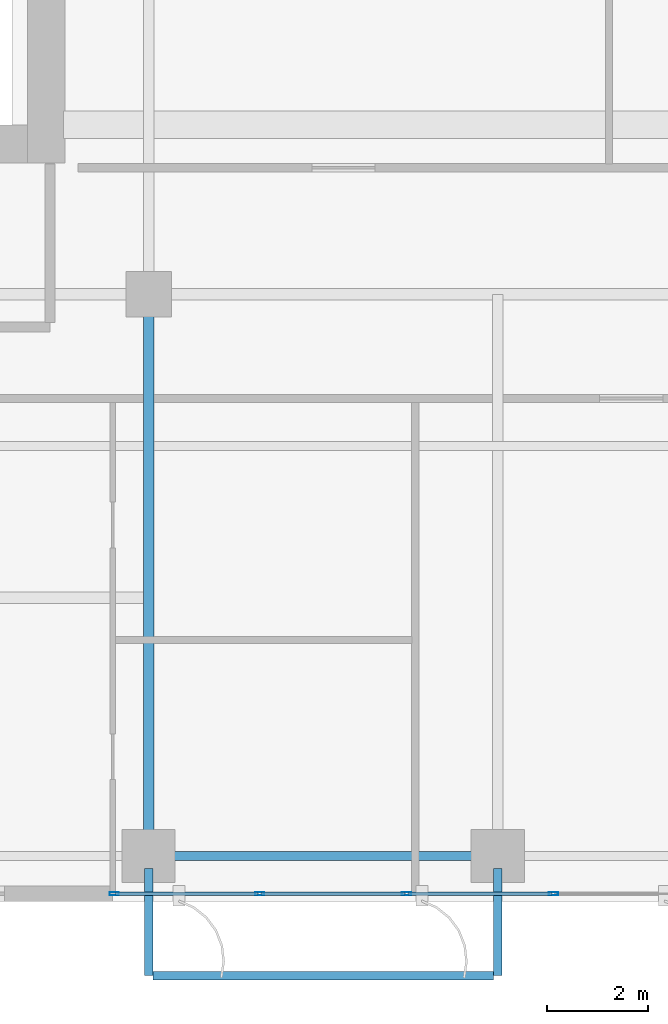
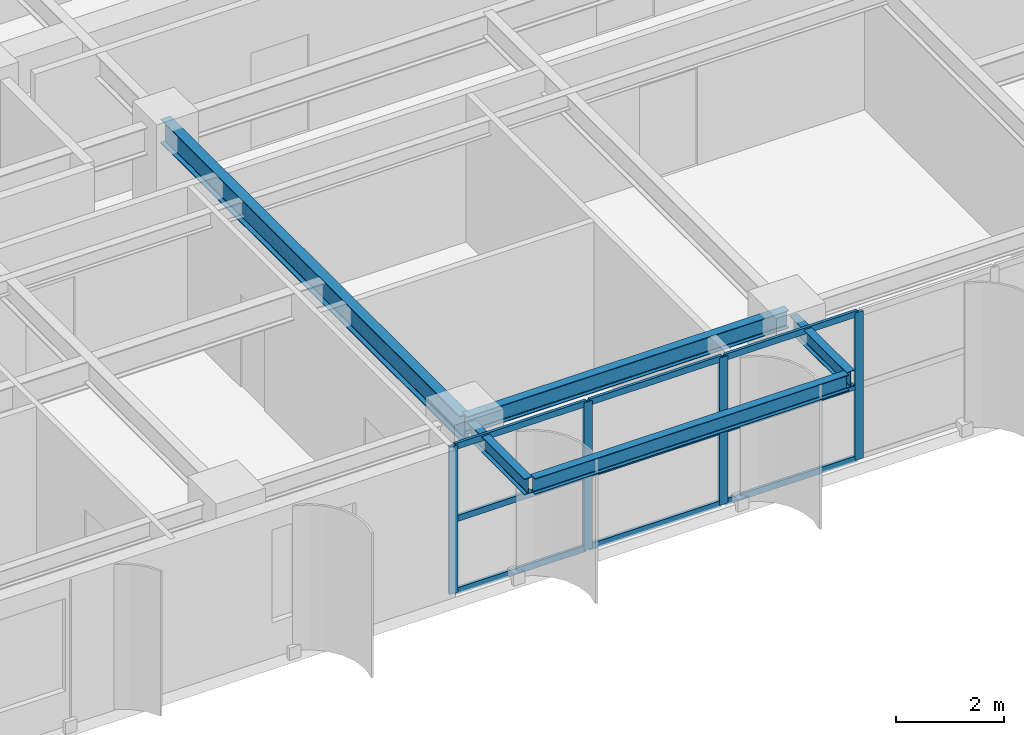
# One storey, part 2 of 23: 13 members, 5 beams, 1 element without a shape of its own.
"""IFC4 building model written with IfcOpenShell, lengths in metres."""

from ifc_helpers import new_model, si_unit, direction, frame, origin, origin_2d, place, context, subcontext, project, spatial, hollow_rectangle, i_section, extrude, source, transform, mapped, material, layer, layer_set, material_profile, profile_set, type_object, element, aggregate, save


model = new_model("IFC4")

# Units and contexts
model_context = context("Model", 3, precision=1e-05, world=origin(), true_north=direction((0.0, 1.0)))
body_context = subcontext(model_context, "Body", "Model", "MODEL_VIEW")
ifc_project = project(units=[si_unit("LENGTHUNIT", "METRE"), si_unit("AREAUNIT", "SQUARE_METRE"), si_unit("VOLUMEUNIT", "CUBIC_METRE"), si_unit("PLANEANGLEUNIT", "RADIAN"), si_unit("MASSUNIT", "GRAM", prefix="KILO")], contexts=[model_context])

# Site, building, storey
site_placement = place(None, origin())
site = spatial("IfcSite", under=ifc_project, at=site_placement, CompositionType="ELEMENT")
building_placement = place(site_placement, origin())
building = spatial("IfcBuilding", under=site, at=building_placement, Name="Khoralis Quay Care Tower", CompositionType="ELEMENT")
storey_placement = place(building_placement, frame((0.0, 0.0, 119.699951171875)))
storey = spatial("IfcBuildingStorey", under=building, at=storey_placement, Name="L31", CompositionType="ELEMENT", Elevation=119.699951171875)

# Beams
ifc_material_1 = material(Name="Steel S355", Category="steel")
ifc_material_profile_1 = material_profile(ifc_material_1, i_section(OverallWidth=0.179931640625, OverallDepth=0.39990234375, WebThickness=0.008544921875, FlangeThickness=0.013427734375, FilletRadius=0.02099609375, at=origin_2d()), Name="Steel S355")
ifc_profile_set_1 = profile_set([ifc_material_profile_1], Name="Steel S355")
beam_type_1 = type_object("IfcBeamType", Name="BM-IPE400", PredefinedType="SPANDREL", material=ifc_profile_set_1)
shared_shape_1 = source(origin(), body_context, "Body", "SweptSolid", [
    extrude(i_section(OverallWidth=0.179931640625, OverallDepth=0.39990234375, WebThickness=0.008544921875, FlangeThickness=0.013427734375, FilletRadius=0.02099609375, at=origin_2d()), origin(), (0.0, 0.0, 1.0), 6.89990234375),
])
beam_1_placement = place(storey_placement, frame((17.10009765625, 0.89990234375, 3.14013671875), z_axis=(1.0, 0.0, 0.0), x_axis=(0.0, 1.0, 0.0)))
element("IfcBeam", 1, at=beam_1_placement, inside=storey, type_object=beam_type_1, Name="BM-TSP-L31-03", PredefinedType="SPANDREL", context=body_context, shape_type="MappedRepresentation", body=[
    mapped(shared_shape_1, transform((0.0, 0.0, 0.0), scale=1.0)),
])
ifc_material_profile_2 = material_profile(ifc_material_1, i_section(OverallWidth=0.2119140625, OverallDepth=0.5439453125, WebThickness=0.01318359375, FlangeThickness=0.021240234375, FilletRadius=0.01611328125, at=origin_2d()), Name="Steel S355")
ifc_profile_set_2 = profile_set([ifc_material_profile_2], Name="Steel S355")
beam_type_2 = type_object("IfcBeamType", Name="BM-W530X123", PredefinedType="BEAM", material=ifc_profile_set_2)
shared_shape_2 = source(origin(), body_context, "Body", "SweptSolid", [
    extrude(i_section(OverallWidth=0.2119140625, OverallDepth=0.5439453125, WebThickness=0.01318359375, FlangeThickness=0.021240234375, FilletRadius=0.01611328125, at=origin_2d()), origin(), (0.0, 0.0, 1.0), 11.10009765625),
])
beam_2_placement = place(storey_placement, frame((17.10009765625, 0.89990234375, 3.068115234375), z_axis=(0.0, 1.0, 0.0), x_axis=(-1.0, 0.0, 0.0)))
element("IfcBeam", 2, at=beam_2_placement, inside=storey, type_object=beam_type_2, Name="BM-TGYS-L31-171", PredefinedType="BEAM", context=body_context, shape_type="MappedRepresentation", body=[
    mapped(shared_shape_2, transform((0.0, 0.0, 0.0), scale=1.0)),
])
ifc_material_profile_3 = material_profile(ifc_material_1, i_section(OverallWidth=0.169921875, OverallDepth=0.360107421875, WebThickness=0.008056640625, FlangeThickness=0.0126953125, FilletRadius=0.01806640625, at=origin_2d()), Name="Steel S355")
ifc_profile_set_3 = profile_set([ifc_material_profile_3], Name="Steel S355")
beam_type_3 = type_object("IfcBeamType", Name="BM-IPE360", PredefinedType="SPANDREL", material=ifc_profile_set_3)
shared_shape_3 = source(origin(), body_context, "Body", "SweptSolid", [
    extrude(i_section(OverallWidth=0.169921875, OverallDepth=0.360107421875, WebThickness=0.008056640625, FlangeThickness=0.0126953125, FilletRadius=0.01806640625, at=origin_2d()), origin(), (0.0, 0.0, 1.0), 2.119873046875),
])
for number, where, z_axis, x_axis, name in (
    (3, (17.10009765625, 0.64990234375, 3.1640625), (0.0, -1.0, 0.0), (1.0, 0.0, 0.0), "L32 Balcony Cantilever Outrigger Beam 1"),
    (4, (24.0, 0.64990234375, 3.1640625), (0.0, -1.0, 0.0), (1.0, 0.0, 0.0), "L32 Balcony Cantilever Outrigger Beam 2"),
):
    element("IfcBeam", number, at=place(storey_placement, frame(where, z_axis=z_axis, x_axis=x_axis)), inside=storey, type_object=beam_type_3, Name=name, PredefinedType="SPANDREL", context=body_context, shape_type="MappedRepresentation", body=[
        mapped(shared_shape_3, transform((0.0, 0.0, 0.0), scale=1.0)),
    ])
shared_shape_4 = source(origin(), body_context, "Body", "SweptSolid", [
    extrude(i_section(OverallWidth=0.169921875, OverallDepth=0.360107421875, WebThickness=0.008056640625, FlangeThickness=0.0126953125, FilletRadius=0.01806640625, at=origin_2d()), origin(), (0.0, 0.0, 1.0), 6.72412109375),
])
beam_3_placement = place(storey_placement, frame((17.18798828125, -1.469970703125, 3.1640625), z_axis=(1.0, 0.0, 0.0), x_axis=(0.0, 1.0, 0.0)))
element("IfcBeam", 5, at=beam_3_placement, inside=storey, type_object=beam_type_3, Name="L32 Balcony Edge Spandrel Beam P1E0", PredefinedType="SPANDREL", context=body_context, shape_type="MappedRepresentation", body=[
    mapped(shared_shape_4, transform((0.0, 0.0, 0.0), scale=1.0)),
])

# Curtain wall, members
ifc_material_2 = material(Name="Pale anodised aluminium", Category="aluminium")
ifc_layer = layer(ifc_material_2, 0.169921875)
ifc_layer_set = layer_set([ifc_layer], Name="Pale anodised aluminium")
curtain_wall_type = type_object("IfcCurtainWallType", Name="CW-SYS-Z2", PredefinedType="NOTDEFINED", material=ifc_layer_set)
curtain_wall_placement = place(storey_placement, origin())
curtain_wall = element("IfcCurtainWall", 6, at=curtain_wall_placement, inside=storey, type_object=curtain_wall_type, Name="L31 Unitised Curtain Wall CW-L31-P1-E0", PredefinedType="NOTDEFINED")
ifc_material_profile_4 = material_profile(ifc_material_2, hollow_rectangle(XDim=0.06494140625, YDim=0.179931640625, WallThickness=0.00390625, at=origin_2d()), Name="Pale anodised aluminium")
ifc_profile_set_4 = profile_set([ifc_material_profile_4], Name="Pale anodised aluminium")
member_type_1 = type_object("IfcMemberType", Name="CW-MUL-180", PredefinedType="MULLION", material=ifc_profile_set_4)
shared_shape_5 = source(origin(), body_context, "Body", "SweptSolid", [
    extrude(hollow_rectangle(XDim=0.06494140625, YDim=0.179931640625, WallThickness=0.00390625, at=origin_2d()), origin(), (0.0, 0.0, 1.0), 3.340087890625),
])
member_1_placement = place(storey_placement, frame((16.4189453125, 0.14990234375, 0.0), z_axis=(0.0, 0.0, 1.0), x_axis=(0.0, 1.0, 0.0)))
member_1 = element("IfcMember", 7, at=member_1_placement, type_object=member_type_1, Name="CW2 mullion 1", PredefinedType="MULLION", context=body_context, shape_type="MappedRepresentation", body=[
    mapped(shared_shape_5, transform((0.0, 0.0, 0.0), scale=1.0)),
])
member_2_placement = place(storey_placement, frame((19.293212890625, 0.14990234375, 0.0), z_axis=(0.0, 0.0, 1.0), x_axis=(0.0, 1.0, 0.0)))
member_2 = element("IfcMember", 8, at=member_2_placement, type_object=member_type_1, Name="CW2 mullion 2", PredefinedType="MULLION", context=body_context, shape_type="MappedRepresentation", body=[
    mapped(shared_shape_5, transform((0.0, 0.0, 0.0), scale=1.0)),
])
member_3_placement = place(storey_placement, frame((22.197509765625, 0.14990234375, 0.0), z_axis=(0.0, 0.0, 1.0), x_axis=(0.0, 1.0, 0.0)))
member_3 = element("IfcMember", 9, at=member_3_placement, type_object=member_type_1, Name="CW2 mullion 3", PredefinedType="MULLION", context=body_context, shape_type="MappedRepresentation", body=[
    mapped(shared_shape_5, transform((0.0, 0.0, 0.0), scale=1.0)),
])
member_4_placement = place(storey_placement, frame((25.1015625, 0.14990234375, 0.0), z_axis=(0.0, 0.0, 1.0), x_axis=(0.0, 1.0, 0.0)))
member_4 = element("IfcMember", 10, at=member_4_placement, type_object=member_type_1, Name="CW2 mullion 4", PredefinedType="MULLION", context=body_context, shape_type="MappedRepresentation", body=[
    mapped(shared_shape_5, transform((0.0, 0.0, 0.0), scale=1.0)),
])
ifc_material_profile_5 = material_profile(ifc_material_2, hollow_rectangle(XDim=0.06005859375, YDim=0.139892578125, WallThickness=0.00390625, at=origin_2d()), Name="Pale anodised aluminium")
ifc_profile_set_5 = profile_set([ifc_material_profile_5], Name="Pale anodised aluminium")
member_type_2 = type_object("IfcMemberType", Name="CW-TRN-140", PredefinedType="USERDEFINED", material=ifc_profile_set_5)
shared_shape_6 = source(origin(), body_context, "Body", "SweptSolid", [
    extrude(hollow_rectangle(XDim=0.06005859375, YDim=0.139892578125, WallThickness=0.00390625, at=origin_2d()), origin(), (0.0, 0.0, 1.0), 2.814208984375),
])
member_5_placement = place(storey_placement, frame((16.448974609375, 0.14990234375, 0.030029296875), z_axis=(1.0, 0.0, 0.0), x_axis=(0.0, 1.0, 0.0)))
member_5 = element("IfcMember", 11, at=member_5_placement, type_object=member_type_2, Name="CW2 transom 1.1", ObjectType="TRANSOM", PredefinedType="USERDEFINED", context=body_context, shape_type="MappedRepresentation", body=[
    mapped(shared_shape_6, transform((0.0, 0.0, 0.0), scale=1.0)),
])
member_6_placement = place(storey_placement, frame((16.448974609375, 0.14990234375, 1.670166015625), z_axis=(1.0, 0.0, 0.0), x_axis=(0.0, 1.0, 0.0)))
member_6 = element("IfcMember", 12, at=member_6_placement, type_object=member_type_2, Name="CW2 transom 1.2", ObjectType="TRANSOM", PredefinedType="USERDEFINED", context=body_context, shape_type="MappedRepresentation", body=[
    mapped(shared_shape_6, transform((0.0, 0.0, 0.0), scale=1.0)),
])
member_7_placement = place(storey_placement, frame((16.448974609375, 0.14990234375, 3.31005859375), z_axis=(1.0, 0.0, 0.0), x_axis=(0.0, 1.0, 0.0)))
member_7 = element("IfcMember", 13, at=member_7_placement, type_object=member_type_2, Name="CW2 transom 1.3", ObjectType="TRANSOM", PredefinedType="USERDEFINED", context=body_context, shape_type="MappedRepresentation", body=[
    mapped(shared_shape_6, transform((0.0, 0.0, 0.0), scale=1.0)),
])
shared_shape_7 = source(origin(), body_context, "Body", "SweptSolid", [
    extrude(hollow_rectangle(XDim=0.06005859375, YDim=0.139892578125, WallThickness=0.00390625, at=origin_2d()), origin(), (0.0, 0.0, 1.0), 2.84423828125),
])
member_8_placement = place(storey_placement, frame((19.3232421875, 0.14990234375, 0.030029296875), z_axis=(1.0, 0.0, 0.0), x_axis=(0.0, 1.0, 0.0)))
member_8 = element("IfcMember", 14, at=member_8_placement, type_object=member_type_2, Name="CW2 transom 2.1", ObjectType="TRANSOM", PredefinedType="USERDEFINED", context=body_context, shape_type="MappedRepresentation", body=[
    mapped(shared_shape_7, transform((0.0, 0.0, 0.0), scale=1.0)),
])
member_9_placement = place(storey_placement, frame((19.3232421875, 0.14990234375, 1.670166015625), z_axis=(1.0, 0.0, 0.0), x_axis=(0.0, 1.0, 0.0)))
member_9 = element("IfcMember", 15, at=member_9_placement, type_object=member_type_2, Name="CW2 transom 2.2", ObjectType="TRANSOM", PredefinedType="USERDEFINED", context=body_context, shape_type="MappedRepresentation", body=[
    mapped(shared_shape_7, transform((0.0, 0.0, 0.0), scale=1.0)),
])
member_10_placement = place(storey_placement, frame((19.3232421875, 0.14990234375, 3.31005859375), z_axis=(1.0, 0.0, 0.0), x_axis=(0.0, 1.0, 0.0)))
member_10 = element("IfcMember", 16, at=member_10_placement, type_object=member_type_2, Name="CW2 transom 2.3", ObjectType="TRANSOM", PredefinedType="USERDEFINED", context=body_context, shape_type="MappedRepresentation", body=[
    mapped(shared_shape_7, transform((0.0, 0.0, 0.0), scale=1.0)),
])
member_11_placement = place(storey_placement, frame((22.227294921875, 0.14990234375, 0.030029296875), z_axis=(1.0, 0.0, 0.0), x_axis=(0.0, 1.0, 0.0)))
member_11 = element("IfcMember", 17, at=member_11_placement, type_object=member_type_2, Name="CW2 transom 3.1", ObjectType="TRANSOM", PredefinedType="USERDEFINED", context=body_context, shape_type="MappedRepresentation", body=[
    mapped(shared_shape_7, transform((0.0, 0.0, 0.0), scale=1.0)),
])
member_12_placement = place(storey_placement, frame((22.227294921875, 0.14990234375, 1.670166015625), z_axis=(1.0, 0.0, 0.0), x_axis=(0.0, 1.0, 0.0)))
member_12 = element("IfcMember", 18, at=member_12_placement, type_object=member_type_2, Name="CW2 transom 3.2", ObjectType="TRANSOM", PredefinedType="USERDEFINED", context=body_context, shape_type="MappedRepresentation", body=[
    mapped(shared_shape_7, transform((0.0, 0.0, 0.0), scale=1.0)),
])
member_13_placement = place(storey_placement, frame((22.227294921875, 0.14990234375, 3.31005859375), z_axis=(1.0, 0.0, 0.0), x_axis=(0.0, 1.0, 0.0)))
member_13 = element("IfcMember", 19, at=member_13_placement, type_object=member_type_2, Name="CW2 transom 3.3", ObjectType="TRANSOM", PredefinedType="USERDEFINED", context=body_context, shape_type="MappedRepresentation", body=[
    mapped(shared_shape_7, transform((0.0, 0.0, 0.0), scale=1.0)),
])
aggregate(curtain_wall, [member_1, member_2, member_3, member_4, member_5, member_6, member_7, member_8, member_9, member_10, member_11, member_12, member_13])

save(model, "model.ifc")
